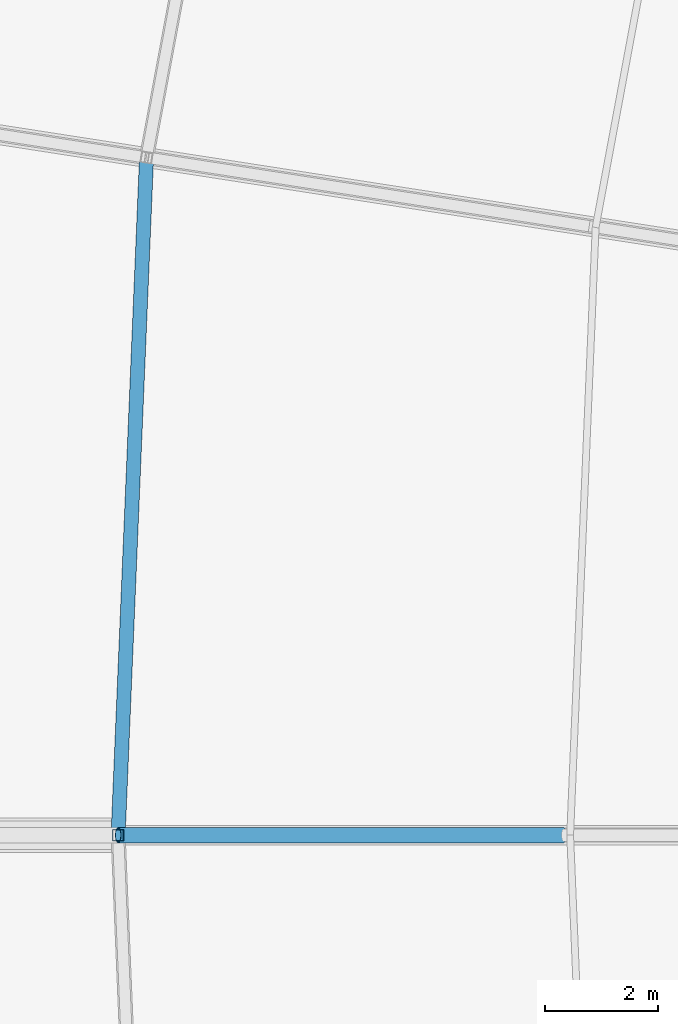
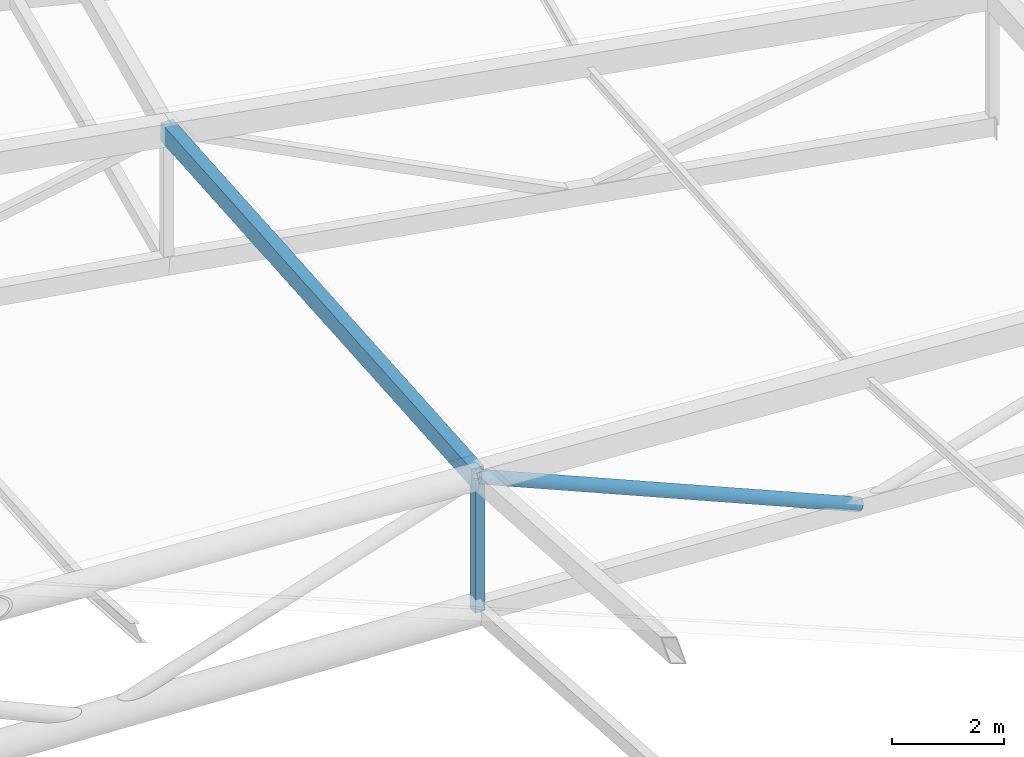
# One storey, part 40 of 143: 2 members, 1 beam.
"""IFC4 building model written with IfcOpenShell, lengths in metres."""

from ifc_helpers import new_model, si_unit, direction, frame, origin, origin_2d, place, context, subcontext, project, spatial, hollow_rectangle, hollow_circle, extrude, material, material_profile, profile_set, type_object, element, save


model = new_model("IFC4")

# Units and contexts
model_context = context("Model", 3, precision=1e-05, world=origin(), true_north=direction((0.0, 1.0)))
body_context = subcontext(model_context, "Body", "Model", "MODEL_VIEW")
ifc_project = project(units=[si_unit("LENGTHUNIT", "METRE"), si_unit("AREAUNIT", "SQUARE_METRE"), si_unit("VOLUMEUNIT", "CUBIC_METRE"), si_unit("PLANEANGLEUNIT", "RADIAN"), si_unit("MASSUNIT", "GRAM", prefix="KILO")], contexts=[model_context])

# Site, building, storey
site_placement = place(None, origin())
site = spatial("IfcSite", under=ifc_project, at=site_placement, CompositionType="ELEMENT")
building_placement = place(site_placement, origin())
building = spatial("IfcBuilding", under=site, at=building_placement, Name="Mphavela Belvedere Stadium", CompositionType="ELEMENT")
storey_placement = place(building_placement, frame((0.0, 0.0, 28.800048828125)))
storey = spatial("IfcBuildingStorey", under=building, at=storey_placement, Name="RF", CompositionType="ELEMENT", Elevation=28.800048828125)

# Beam
ifc_material_1 = material(Name="Steel S355", Category="steel")
ifc_material_profile_1 = material_profile(ifc_material_1, hollow_rectangle(XDim=0.25, YDim=0.39990234375, WallThickness=0.01611328125, at=origin_2d()), Name="RHS 400x250x16")
ifc_profile_set_1 = profile_set([ifc_material_profile_1], Name="Steel S355")
beam_type = type_object("IfcBeamType", Name="BM-RING-MID", PredefinedType="BEAM", material=ifc_profile_set_1)
beam_placement = place(storey_placement, frame((37.66064453125, 98.995849609375, 2.614013671875), z_axis=(-0.041906581182, -0.999068348561, -0.010308896972), x_axis=(0.999121439966, -0.041908808136, 0.0)))
element("IfcBeam", 1, at=beam_placement, inside=storey, type_object=beam_type, Name="Intermediate roof ring beam RB-MID-24", PredefinedType="BEAM", context=body_context, shape_type="SweptSolid", body=[
    extrude(hollow_rectangle(XDim=0.25, YDim=0.39990234375, WallThickness=0.01611328125, at=origin_2d()), origin(), (0.0, 0.0, 1.0), 12.007080078125),
])

# Members
ifc_material_2 = material(Name="Steel S355", Category="steel")
ifc_material_profile_2 = material_profile(ifc_material_2, hollow_circle(Radius=0.136474609375, WallThickness=0.012451171875, at=origin_2d()), Name="CHS 273x12.5")
ifc_profile_set_2 = profile_set([ifc_material_profile_2], Name="Steel S355")
member_type_1 = type_object("IfcMemberType", Name="MEM-DIAG-273", PredefinedType="BRACE", material=ifc_profile_set_2)
member_1_placement = place(storey_placement, frame((37.157470703125, 87.0, 2.490234375), z_axis=(0.919445293254, 0.0, -0.393217945563), x_axis=(0.0, 1.0, 0.0)))
element("IfcMember", 2, at=member_1_placement, inside=storey, type_object=member_type_1, Name="Radial roof truss RT-25 web diagonal D5", PredefinedType="BRACE", context=body_context, shape_type="SweptSolid", body=[
    extrude(hollow_circle(Radius=0.136474609375, WallThickness=0.012451171875, at=origin_2d()), origin(), (0.0, 0.0, 1.0), 8.57177734375),
])
ifc_material_3 = material(Name="Steel S355", Category="steel")
ifc_material_profile_3 = material_profile(ifc_material_3, hollow_rectangle(XDim=0.199951171875, YDim=0.199951171875, WallThickness=0.010009765625, at=origin_2d()), Name="SHS 200x200x10")
ifc_profile_set_3 = profile_set([ifc_material_profile_3], Name="Steel S355")
member_type_2 = type_object("IfcMemberType", Name="MEM-POST-SHS200", PredefinedType="POST", material=ifc_profile_set_3)
member_2_placement = place(storey_placement, frame((37.157470703125, 87.0, -0.40966796875), z_axis=(0.0, 0.0, 1.0), x_axis=(-1.0, 0.0, 0.0)))
element("IfcMember", 3, at=member_2_placement, inside=storey, type_object=member_type_2, Name="Radial roof truss RT-25 post P3", PredefinedType="POST", context=body_context, shape_type="SweptSolid", body=[
    extrude(hollow_rectangle(XDim=0.199951171875, YDim=0.199951171875, WallThickness=0.010009765625, at=origin_2d()), origin(), (0.0, 0.0, 1.0), 2.89990234375),
])

save(model, "model.ifc")
